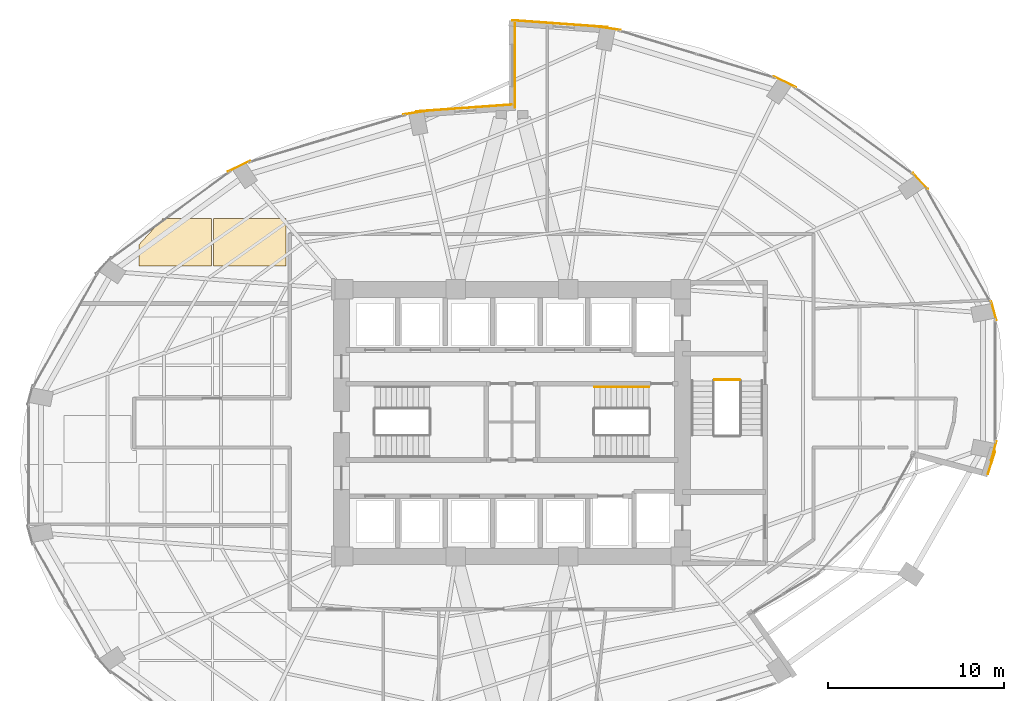
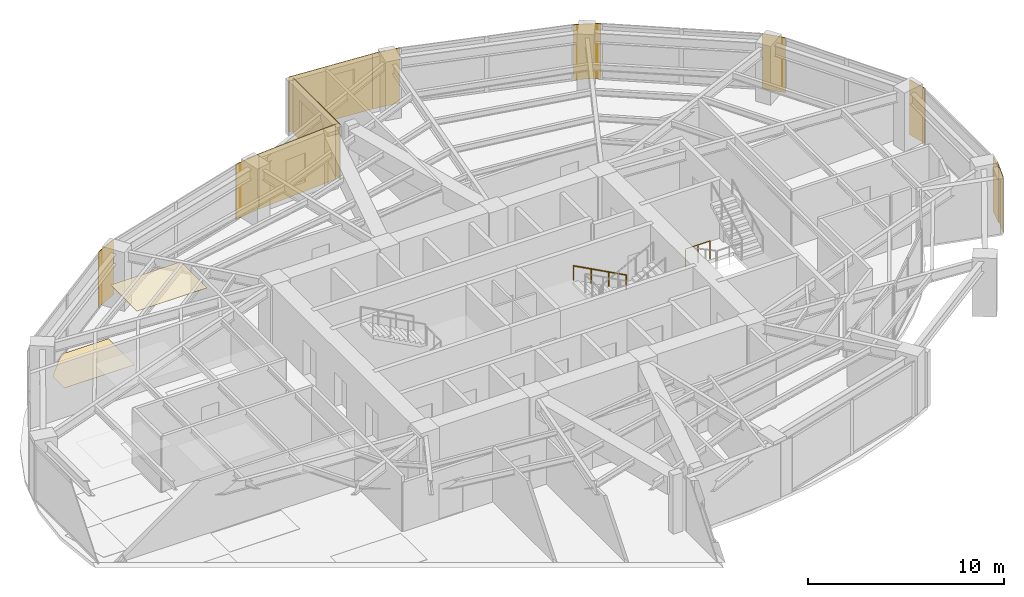
# One storey, part 24 of 24: 13 coverings, 2 railings.
"""IFC4 building model written with IfcOpenShell, lengths in metres."""

from ifc_helpers import new_model, si_unit, direction, frame, origin, origin_2d, place, context, subcontext, project, spatial, polyline, rectangle, circle, outline, extrude, material, layer, layer_set, type_object, element, save


model = new_model("IFC4")

# Units and contexts
model_context = context("Model", 3, precision=1e-05, world=origin(), true_north=direction((0.0, 1.0)))
body_context = subcontext(model_context, "Body", "Model", "MODEL_VIEW")
ifc_project = project(units=[si_unit("LENGTHUNIT", "METRE"), si_unit("AREAUNIT", "SQUARE_METRE"), si_unit("VOLUMEUNIT", "CUBIC_METRE"), si_unit("PLANEANGLEUNIT", "RADIAN"), si_unit("MASSUNIT", "GRAM", prefix="KILO")], contexts=[model_context])

# Site, building, storey
site_placement = place(None, origin())
site = spatial("IfcSite", under=ifc_project, at=site_placement, CompositionType="ELEMENT")
building_placement = place(site_placement, origin())
building = spatial("IfcBuilding", under=site, at=building_placement, Name="Lazwardi Medical Tower", CompositionType="ELEMENT")
storey_placement = place(building_placement, frame((0.0, 0.0, 65.327880859375)))
storey = spatial("IfcBuildingStorey", under=building, at=storey_placement, Name="L16", CompositionType="ELEMENT", Elevation=65.327880859375)

# Coverings
ifc_material_1 = material(Name="Anodised bronze aluminium cassette cladding", Category="aluminium")
ifc_layer_1 = layer(ifc_material_1, 0.030029296875)
ifc_layer_set_1 = layer_set([ifc_layer_1], Name="Anodised bronze aluminium cassette cladding")
covering_type_1 = type_object("IfcCoveringType", Name="COV-CLD-BRZ", PredefinedType="CLADDING", material=ifc_layer_set_1)
for number, where, z_axis, x_axis, name in (
    (1, (63.420654296875, 26.408203125, 0.0), (0.0, 0.0, 1.0), (0.262283496593, 0.964990863902, 0.0), "L16 Mega-column bronze cassette cover M04"),
    (2, (63.420654296875, 34.3916015625, 0.0), (0.0, 0.0, 1.0), (-0.262283496593, 0.964990863902, 0.0), "L16 Mega-column bronze cassette cover M05"),
):
    element("IfcCovering", number, at=place(storey_placement, frame(where, z_axis=z_axis, x_axis=x_axis)), inside=storey, type_object=covering_type_1, Name=name, PredefinedType="CLADDING", context=body_context, shape_type="SweptSolid", body=[
        extrude(rectangle(XDim=1.12548828125, YDim=0.030029296875, at=origin_2d()), origin(), (0.0, 0.0, 1.0), 3.427978515625),
    ])
covering_1_placement = place(storey_placement, frame((59.24609375, 41.767333984375, 0.0), z_axis=(0.0, 0.0, 1.0), x_axis=(-0.674252120961, 0.738501237223, 0.0)))
element("IfcCovering", 3, at=covering_1_placement, inside=storey, type_object=covering_type_1, Name="L16 Mega-column bronze cassette cover M06", PredefinedType="CLADDING", context=body_context, shape_type="SweptSolid", body=[
    extrude(rectangle(XDim=1.24658203125, YDim=0.030029296875, at=origin_2d()), origin(), (0.0, 0.0, 1.0), 3.427978515625),
])
covering_2_placement = place(storey_placement, frame((51.532470703125, 47.412353515625, 0.0), z_axis=(0.0, 0.0, 1.0), x_axis=(-0.898334492373, 0.439312121178, 0.0)))
element("IfcCovering", 4, at=covering_2_placement, inside=storey, type_object=covering_type_1, Name="L16 Mega-column bronze cassette cover M07", PredefinedType="CLADDING", context=body_context, shape_type="SweptSolid", body=[
    extrude(rectangle(XDim=1.400390625, YDim=0.030029296875, at=origin_2d()), origin(), (0.0, 0.0, 1.0), 3.427978515625),
])
for number, where, z_axis, x_axis, name in (
    (5, (41.454345703125, 50.46728515625, 0.0), (0.0, 0.0, 1.0), (-0.98957259946, 0.144034962415, 0.0), "L16 Mega-column bronze cassette cover M08"),
    (6, (30.545654296875, 45.66748046875, 0.0), (0.0, 0.0, 1.0), (-0.98957259946, -0.144034962415, 0.0), "L16 Mega-column bronze cassette cover M09"),
):
    element("IfcCovering", number, at=place(storey_placement, frame(where, z_axis=z_axis, x_axis=x_axis)), inside=storey, type_object=covering_type_1, Name=name, PredefinedType="CLADDING", context=body_context, shape_type="SweptSolid", body=[
        extrude(rectangle(XDim=1.49951171875, YDim=0.030029296875, at=origin_2d()), origin(), (0.0, 0.0, 1.0), 3.427978515625),
    ])
covering_3_placement = place(storey_placement, frame((20.467529296875, 42.6123046875, 0.0), z_axis=(0.0, 0.0, 1.0), x_axis=(-0.898334492373, -0.439312121178, 0.0)))
element("IfcCovering", 7, at=covering_3_placement, inside=storey, type_object=covering_type_1, Name="L16 Mega-column bronze cassette cover M10", PredefinedType="CLADDING", context=body_context, shape_type="SweptSolid", body=[
    extrude(rectangle(XDim=1.400390625, YDim=0.030029296875, at=origin_2d()), origin(), (0.0, 0.0, 1.0), 3.427978515625),
])
ifc_material_2 = material(Name="Turquoise glazed ceramic tilework cladding", Category="masonry")
ifc_layer_2 = layer(ifc_material_2, 0.034912109375)
ifc_layer_set_2 = layer_set([ifc_layer_2], Name="Turquoise glazed ceramic tilework cladding")
covering_type_2 = type_object("IfcCoveringType", Name="COV-CLD-TRQ", PredefinedType="CLADDING", material=ifc_layer_set_2)
covering_4_placement = place(storey_placement, frame((38.728271484375, 50.719482421875, 0.0), z_axis=(0.0, 0.0, 1.0), x_axis=(-0.997421404513, 0.071767275412, 0.0)))
element("IfcCovering", 8, at=covering_4_placement, inside=storey, type_object=covering_type_2, Name="L16 Turquoise glazed ceramic tilework cladding", PredefinedType="CLADDING", context=body_context, shape_type="SweptSolid", body=[
    extrude(rectangle(XDim=5.4453125, YDim=0.034912109375, at=origin_2d()), origin(), (0.0, 0.0, 1.0), 3.427978515625),
])
covering_5_placement = place(storey_placement, frame((33.271484375, 45.919677734375, 0.0), z_axis=(0.0, 0.0, 1.0), x_axis=(-0.997420903458, -0.071774238726, 0.0)))
element("IfcCovering", 9, at=covering_5_placement, inside=storey, type_object=covering_type_2, Name="L16 Turquoise glazed ceramic tilework cladding", PredefinedType="CLADDING", context=body_context, shape_type="SweptSolid", body=[
    extrude(rectangle(XDim=5.44482421875, YDim=0.034912109375, at=origin_2d()), origin(), (0.0, 0.0, 1.0), 3.427978515625),
])
covering_6_placement = place(storey_placement, frame((36.175537109375, 48.340087890625, 0.0), z_axis=(0.0, 0.0, 1.0), x_axis=(0.0, -1.0, 0.0)))
element("IfcCovering", 10, at=covering_6_placement, inside=storey, type_object=covering_type_2, Name="L16 Turquoise glazed ceramic tilework iwan panel", PredefinedType="CLADDING", context=body_context, shape_type="SweptSolid", body=[
    extrude(rectangle(XDim=4.800048828125, YDim=0.034912109375, at=origin_2d()), origin(), (0.0, 0.0, 1.0), 3.427978515625),
])
covering_7_placement = place(storey_placement, frame((63.284912109375, 25.725830078125, 0.0), z_axis=(0.0, 0.0, 1.0), x_axis=(0.303954912629, 0.952686418025, 0.0)))
element("IfcCovering", 11, at=covering_7_placement, inside=storey, type_object=covering_type_2, Name="L16 Turquoise glazed ceramic tilework cladding", PredefinedType="CLADDING", context=body_context, shape_type="SweptSolid", body=[
    extrude(rectangle(XDim=1.362060546875, YDim=0.034912109375, at=origin_2d()), origin(), (0.0, 0.0, 1.0), 3.427978515625),
])
ifc_material_3 = material(Name="Acoustic mineral fibre tile")
ifc_layer_3 = layer(ifc_material_3, 0.02490234375)
ifc_layer_set_3 = layer_set([ifc_layer_3], Name="Acoustic mineral fibre tile")
covering_type_3 = type_object("IfcCoveringType", Name="COV-CLG-01", PredefinedType="CEILING", material=ifc_layer_set_3)
covering_8_placement = place(storey_placement, frame((0.0, 0.0, 3.283203125)))
element("IfcCovering", 12, at=covering_8_placement, inside=storey, type_object=covering_type_3, Name="L16 Clinical Acoustic Ceiling 9", PredefinedType="CEILING", context=body_context, shape_type="SweptSolid", body=[
    extrude(outline(polyline([(23.142822265625, 36.9423828125), (23.142822265625, 39.62255859375), (19.012939453125, 39.62255859375), (19.012939453125, 36.9423828125), (23.142822265625, 36.9423828125)])), origin(), (0.0, 0.0, 1.0), 0.02490234375),
])
ifc_material_4 = material(Name="Anti-static hospital vinyl sheet flooring")
ifc_layer_4 = layer(ifc_material_4, 0.014892578125)
ifc_layer_set_4 = layer_set([ifc_layer_4], Name="Anti-static hospital vinyl sheet flooring")
covering_type_4 = type_object("IfcCoveringType", Name="COV-FLR-01", PredefinedType="FLOORING", material=ifc_layer_set_4)
covering_9_placement = place(storey_placement, origin())
element("IfcCovering", 13, at=covering_9_placement, inside=storey, type_object=covering_type_4, Name="L16 Clinical Vinyl Flooring 7", PredefinedType="FLOORING", context=body_context, shape_type="SweptSolid", body=[
    extrude(outline(polyline([(16.120361328125, 39.62255859375), (14.762939453125, 38.138671875), (14.762939453125, 36.9423828125), (18.892822265625, 36.9423828125), (18.892822265625, 39.62255859375), (16.120361328125, 39.62255859375)])), origin(), (0.0, 0.0, 1.0), 0.01513671875),
])

# Railings
ifc_material_5 = material(Name="Stainless steel Grade 316", Category="steel")
railing_type_1 = type_object("IfcRailingType", Name="RLG-GRD-1150", PredefinedType="GUARDRAIL", material=ifc_material_5)
railing_1_placement = place(storey_placement, frame((47.52001953125, 30.449951171875, 0.0)))
element("IfcRailing", 14, at=railing_1_placement, inside=storey, type_object=railing_type_1, Name="L16 ST3 stair guard 4", PredefinedType="GUARDRAIL", context=body_context, shape_type="SweptSolid", body=[
    extrude(circle(Radius=0.02392578125, at=origin_2d()), frame((0.0, 0.0, 1.1259765625), z_axis=(1.0, 0.0, 0.0), x_axis=(0.0, 1.0, 0.0)), (0.0, 0.0, 1.0), 1.43994140625),
    extrude(circle(Radius=0.02099609375, at=origin_2d()), origin(), (0.0, 0.0, 1.0), 1.099853515625),
    extrude(circle(Radius=0.02099609375, at=origin_2d()), frame((0.719970703125, 0.0, 0.0)), (0.0, 0.0, 1.0), 1.099853515625),
    extrude(circle(Radius=0.02099609375, at=origin_2d()), frame((1.43994140625, 0.0, 0.0)), (0.0, 0.0, 1.0), 1.099853515625),
])
railing_type_2 = type_object("IfcRailingType", Name="RLG-HND-920", PredefinedType="HANDRAIL", material=ifc_material_5)
railing_2_placement = place(storey_placement, frame((43.800048828125, 30.050048828125, 0.166015625)))
element("IfcRailing", 15, at=railing_2_placement, inside=storey, type_object=railing_type_2, Name="L16 ST2 stair handrail 1", PredefinedType="HANDRAIL", context=body_context, shape_type="SweptSolid", body=[
    extrude(circle(Radius=0.02392578125, at=origin_2d()), frame((0.0, 0.0, 0.8857421875), z_axis=(-0.881783298633, 0.0, 0.471654761719), x_axis=(0.0, -1.0, 0.0)), (0.0, 0.0, 1.0), 3.515625),
    extrude(circle(Radius=0.02099609375, at=origin_2d()), origin(), (0.0, 0.0, 1.0), 0.85986328125),
    extrude(circle(Radius=0.02099609375, at=origin_2d()), frame((-1.033447265625, 0.0, 0.552734375)), (0.0, 0.0, 1.0), 0.85986328125),
    extrude(circle(Radius=0.02099609375, at=origin_2d()), frame((-2.066650390625, 0.0, 1.10546875)), (0.0, 0.0, 1.0), 0.85986328125),
    extrude(circle(Radius=0.02099609375, at=origin_2d()), frame((-3.10009765625, 0.0, 1.658203125)), (0.0, 0.0, 1.0), 0.85986328125),
])

save(model, "model.ifc")
